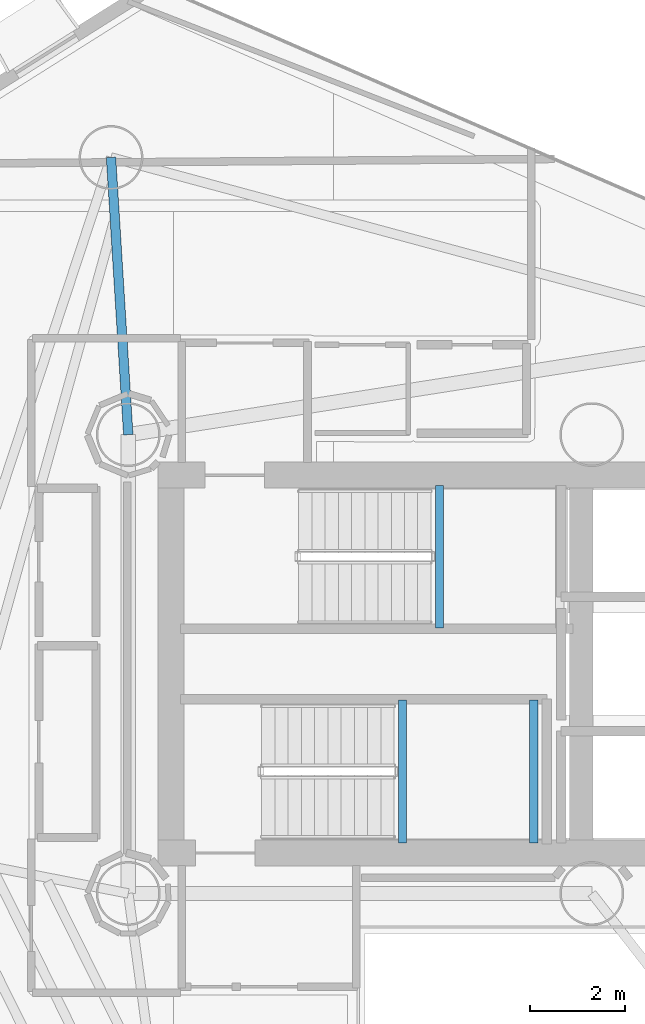
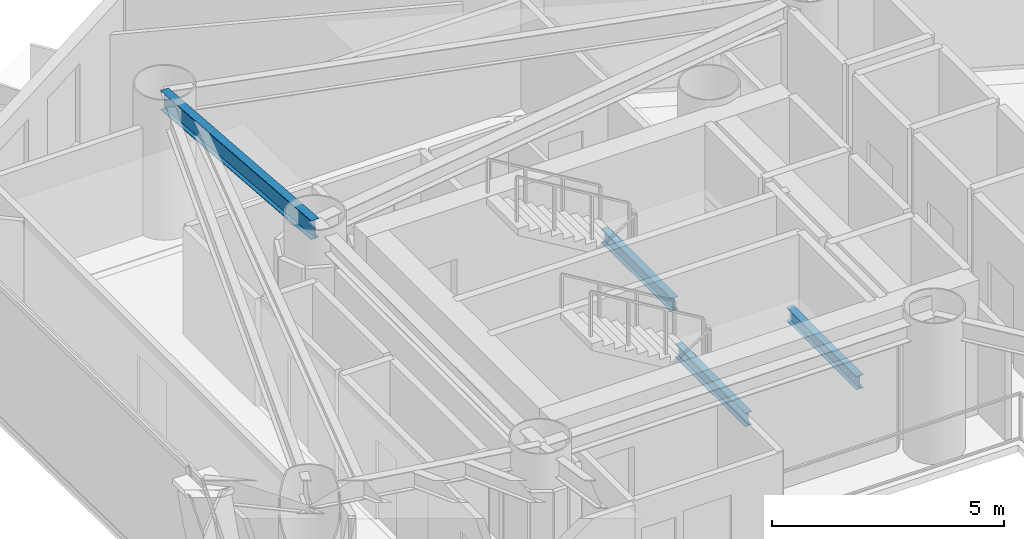
# One storey, part 9 of 20: 4 beams.
"""IFC4 building model written with IfcOpenShell, lengths in metres."""

from ifc_helpers import new_model, si_unit, direction, frame, origin, origin_2d, place, context, subcontext, project, spatial, i_section, extrude, material, material_profile, profile_set, type_object, element, save


model = new_model("IFC4")

# Units and contexts
model_context = context("Model", 3, precision=1e-05, world=origin(), true_north=direction((0.0, 1.0)))
body_context = subcontext(model_context, "Body", "Model", "MODEL_VIEW")
ifc_project = project(units=[si_unit("LENGTHUNIT", "METRE"), si_unit("AREAUNIT", "SQUARE_METRE"), si_unit("VOLUMEUNIT", "CUBIC_METRE"), si_unit("PLANEANGLEUNIT", "RADIAN"), si_unit("MASSUNIT", "GRAM", prefix="KILO")], contexts=[model_context])

# Site, building, storey
site_placement = place(None, origin())
site = spatial("IfcSite", under=ifc_project, at=site_placement, CompositionType="ELEMENT")
building_placement = place(site_placement, origin())
building = spatial("IfcBuilding", under=site, at=building_placement, Name="Qianvela Tower", CompositionType="ELEMENT")
storey_placement = place(building_placement, frame((0.0, 0.0, 151.300048828125)))
storey = spatial("IfcBuildingStorey", under=building, at=storey_placement, Name="L38", CompositionType="ELEMENT", Elevation=151.300048828125)

# Beams
ifc_material_1 = material(Name="Steel Q355B", Category="steel")
ifc_material_profile_1 = material_profile(ifc_material_1, i_section(OverallWidth=0.175048828125, OverallDepth=0.35009765625, WebThickness=0.007080078125, FlangeThickness=0.010986328125, at=origin_2d()), Name="HN350x175x7x11")
ifc_profile_set_1 = profile_set([ifc_material_profile_1], Name="Steel Q355B")
beam_type_1 = type_object("IfcBeamType", Name="BM-HN350-JOIST", PredefinedType="JOIST", material=ifc_profile_set_1)
for number, where, z_axis, x_axis, name in (
    (1, (35.179931640625, 29.4599609375, 1.474853515625), (0.0, 1.0, 0.0), (-1.0, 0.0, 0.0), "L38 Stair ST-1 Landing Support Beam 1.1"),
    (2, (34.39990234375, 24.919921875, 1.474853515625), (0.0, 1.0, 0.0), (-1.0, 0.0, 0.0), "L38 Stair ST-2 Landing Support Beam 1.1"),
    (3, (37.169921875, 24.919921875, 1.474853515625), (0.0, 1.0, 0.0), (-1.0, 0.0, 0.0), "L38 Stair ST-2 Landing Support Beam 1.2"),
):
    element("IfcBeam", number, at=place(storey_placement, frame(where, z_axis=z_axis, x_axis=x_axis)), inside=storey, type_object=beam_type_1, Name=name, PredefinedType="JOIST", context=body_context, shape_type="SweptSolid", body=[
        extrude(i_section(OverallWidth=0.175048828125, OverallDepth=0.35009765625, WebThickness=0.007080078125, FlangeThickness=0.010986328125, at=origin_2d()), origin(), (0.0, 0.0, 1.0), 3.02001953125),
    ])
ifc_material_2 = material(Name="Steel Q355B", Category="steel")
ifc_material_profile_2 = material_profile(ifc_material_2, i_section(OverallWidth=0.199951171875, OverallDepth=0.5, WebThickness=0.010009765625, FlangeThickness=0.01611328125, at=origin_2d()), Name="HN500x200x10x16")
ifc_profile_set_2 = profile_set([ifc_material_profile_2], Name="Steel Q355B")
beam_type_2 = type_object("IfcBeamType", Name="BM-HN500-GIRD", PredefinedType="BEAM", material=ifc_profile_set_2)
beam_placement = place(storey_placement, frame((28.60009765625, 33.550048828125, 3.26806640625), z_axis=(-0.0621556847, 0.998066466153, 0.0), x_axis=(-0.998066466153, -0.0621556847, 0.0)))
element("IfcBeam", 4, at=beam_placement, inside=storey, type_object=beam_type_2, Name="L38 Radial Primary Floor Girder 3", PredefinedType="BEAM", context=body_context, shape_type="SweptSolid", body=[
    extrude(i_section(OverallWidth=0.199951171875, OverallDepth=0.5, WebThickness=0.010009765625, FlangeThickness=0.01611328125, at=origin_2d()), origin(), (0.0, 0.0, 1.0), 5.872314453125),
])

save(model, "model.ifc")
